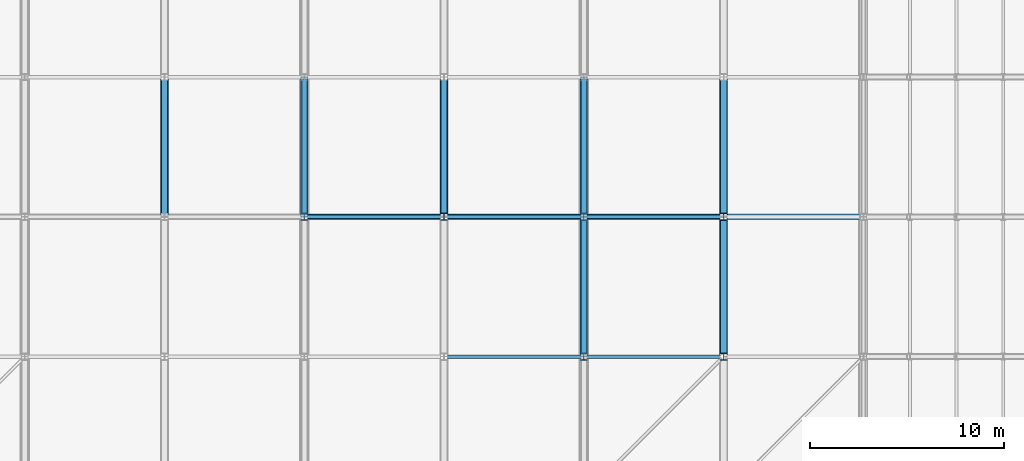
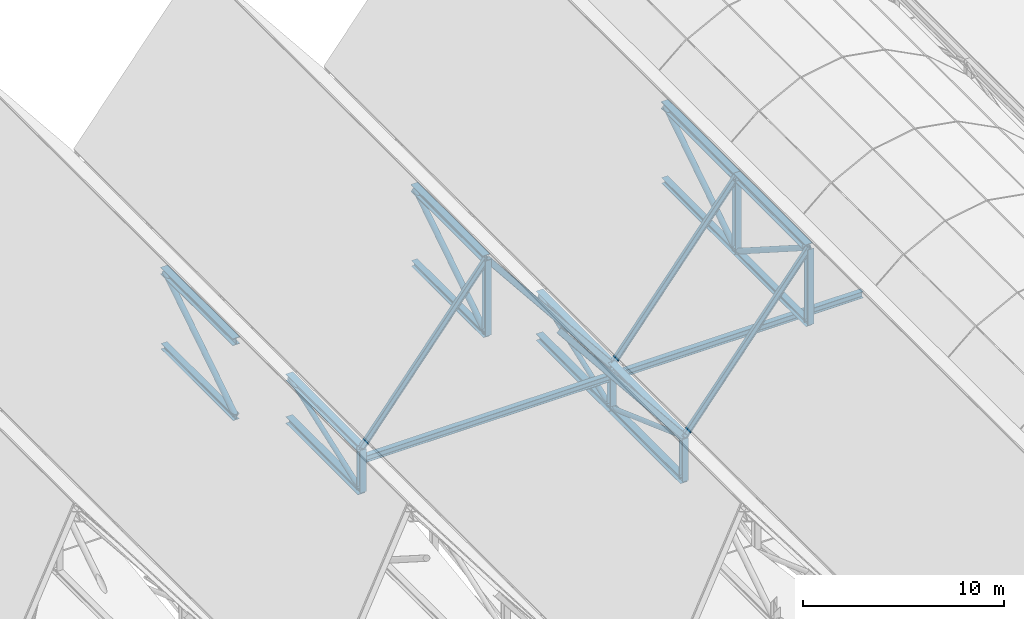
# One storey, part 20 of 60: 32 members, 2 beams.
"""IFC4 building model written with IfcOpenShell, lengths in metres."""

from ifc_helpers import new_model, si_unit, direction, frame, origin, origin_2d, place, context, subcontext, project, spatial, hollow_circle, i_section, extrude, material, material_profile, profile_set, type_object, element, save


model = new_model("IFC4")

# Units and contexts
model_context = context("Model", 3, precision=1e-05, world=origin(), true_north=direction((0.0, 1.0)))
body_context = subcontext(model_context, "Body", "Model", "MODEL_VIEW")
ifc_project = project(units=[si_unit("LENGTHUNIT", "METRE"), si_unit("AREAUNIT", "SQUARE_METRE"), si_unit("VOLUMEUNIT", "CUBIC_METRE"), si_unit("PLANEANGLEUNIT", "RADIAN"), si_unit("MASSUNIT", "GRAM", prefix="KILO")], contexts=[model_context])

# Site, building, storey
site_placement = place(None, origin())
site = spatial("IfcSite", under=ifc_project, at=site_placement, CompositionType="ELEMENT")
building_placement = place(site_placement, origin())
building = spatial("IfcBuilding", under=site, at=building_placement, Name="Vesperath Aquatics Centre", CompositionType="ELEMENT")
storey_placement = place(building_placement, frame((0.0, 0.0, 27.60009765625)))
storey = spatial("IfcBuildingStorey", under=building, at=storey_placement, Name="RF", CompositionType="ELEMENT", Elevation=27.60009765625)

# Beams
ifc_material_1 = material(Name="Steel Q355C", Category="steel")
ifc_material_profile_1 = material_profile(ifc_material_1, i_section(OverallWidth=0.300048828125, OverallDepth=0.389892578125, WebThickness=0.010009765625, FlangeThickness=0.01611328125, FilletRadius=0.02197265625, at=origin_2d()), Name="HM 390x300x10x16")
ifc_profile_set_1 = profile_set([ifc_material_profile_1], Name="Steel Q355C")
beam_type = type_object("IfcBeamType", Name="BM-RB03", PredefinedType="BEAM", material=ifc_profile_set_1)
beam_1_placement = place(storey_placement, frame((72.0, 57.60009765625, -10.478759765625), z_axis=(1.0, 0.0, 0.0), x_axis=(0.0, 1.0, 0.0)))
element("IfcBeam", 1, at=beam_1_placement, inside=storey, type_object=beam_type, Name="Natatorium Roof Deck Support Beam B11 G6-57.6", PredefinedType="BEAM", context=body_context, shape_type="SweptSolid", body=[
    extrude(i_section(OverallWidth=0.300048828125, OverallDepth=0.389892578125, WebThickness=0.010009765625, FlangeThickness=0.01611328125, FilletRadius=0.02197265625, at=origin_2d()), origin(), (0.0, 0.0, 1.0), 14.39990234375),
])
beam_2_placement = place(storey_placement, frame((86.39990234375, 57.60009765625, -10.478759765625), z_axis=(1.0, 0.0, 0.0), x_axis=(0.0, 1.0, 0.0)))
element("IfcBeam", 2, at=beam_2_placement, inside=storey, type_object=beam_type, Name="Natatorium Roof Deck Support Beam B11 G7-57.6", PredefinedType="BEAM", context=body_context, shape_type="SweptSolid", body=[
    extrude(i_section(OverallWidth=0.300048828125, OverallDepth=0.389892578125, WebThickness=0.010009765625, FlangeThickness=0.01611328125, FilletRadius=0.02197265625, at=origin_2d()), origin(), (0.0, 0.0, 1.0), 14.400146484375),
])

# Members
ifc_material_2 = material(Name="Steel Q355D", Category="steel")
ifc_material_profile_2 = material_profile(ifc_material_2, i_section(OverallWidth=0.39990234375, OverallDepth=0.39990234375, WebThickness=0.012939453125, FlangeThickness=0.02099609375, FilletRadius=0.02197265625, at=origin_2d()), Name="HW 400x400x13x21")
ifc_profile_set_2 = profile_set([ifc_material_profile_2], Name="Steel Q355D")
member_type_1 = type_object("IfcMemberType", Name="MB-BC01", PredefinedType="CHORD", material=ifc_profile_set_2)
member_1_placement = place(storey_placement, frame((72.0, 57.60009765625, -12.400146484375), z_axis=(0.0, 1.0, 0.0), x_axis=(-1.0, 0.0, 0.0)))
element("IfcMember", 3, at=member_1_placement, inside=storey, type_object=member_type_1, Name="Natatorium ROOF TRUSS Bottom Chord BC01 G11-9", PredefinedType="CHORD", context=body_context, shape_type="SweptSolid", body=[
    extrude(i_section(OverallWidth=0.39990234375, OverallDepth=0.39990234375, WebThickness=0.012939453125, FlangeThickness=0.02099609375, FilletRadius=0.02197265625, at=origin_2d()), origin(), (0.0, 0.0, 1.0), 7.199951171875),
])
member_2_placement = place(storey_placement, frame((86.39990234375, 50.39990234375, -12.400146484375), z_axis=(0.0, 1.0, 0.0), x_axis=(-1.0, 0.0, 0.0)))
element("IfcMember", 4, at=member_2_placement, inside=storey, type_object=member_type_1, Name="Natatorium ROOF TRUSS Bottom Chord BC01 G13-8", PredefinedType="CHORD", context=body_context, shape_type="SweptSolid", body=[
    extrude(i_section(OverallWidth=0.39990234375, OverallDepth=0.39990234375, WebThickness=0.012939453125, FlangeThickness=0.02099609375, FilletRadius=0.02197265625, at=origin_2d()), origin(), (0.0, 0.0, 1.0), 7.2001953125),
])
member_3_placement = place(storey_placement, frame((86.39990234375, 57.60009765625, -12.400146484375), z_axis=(0.0, 1.0, 0.0), x_axis=(-1.0, 0.0, 0.0)))
element("IfcMember", 5, at=member_3_placement, inside=storey, type_object=member_type_1, Name="Natatorium ROOF TRUSS Bottom Chord BC01 G13-9", PredefinedType="CHORD", context=body_context, shape_type="SweptSolid", body=[
    extrude(i_section(OverallWidth=0.39990234375, OverallDepth=0.39990234375, WebThickness=0.012939453125, FlangeThickness=0.02099609375, FilletRadius=0.02197265625, at=origin_2d()), origin(), (0.0, 0.0, 1.0), 7.199951171875),
])
ifc_material_profile_3 = material_profile(ifc_material_2, i_section(OverallWidth=0.35009765625, OverallDepth=0.35009765625, WebThickness=0.011962890625, FlangeThickness=0.01904296875, FilletRadius=0.02001953125, at=origin_2d()), Name="HW 350x350x12x19")
ifc_profile_set_3 = profile_set([ifc_material_profile_3], Name="Steel Q355D")
member_type_2 = type_object("IfcMemberType", Name="MB-BC02", PredefinedType="CHORD", material=ifc_profile_set_3)
for number, where, z_axis, x_axis, name in (
    (6, (64.800048828125, 57.60009765625, -5.400146484375), (0.0, 1.0, 0.0), (-1.0, 0.0, 0.0), "Natatorium ROOF TRUSS Bottom Chord BC02 G10-9"),
    (7, (79.199951171875, 57.60009765625, -5.400146484375), (0.0, 1.0, 0.0), (-1.0, 0.0, 0.0), "Natatorium ROOF TRUSS Bottom Chord BC02 G12-9"),
):
    element("IfcMember", number, at=place(storey_placement, frame(where, z_axis=z_axis, x_axis=x_axis)), inside=storey, type_object=member_type_2, Name=name, PredefinedType="CHORD", context=body_context, shape_type="SweptSolid", body=[
        extrude(i_section(OverallWidth=0.35009765625, OverallDepth=0.35009765625, WebThickness=0.011962890625, FlangeThickness=0.01904296875, FilletRadius=0.02001953125, at=origin_2d()), origin(), (0.0, 0.0, 1.0), 7.199951171875),
    ])
member_4_placement = place(storey_placement, frame((93.60009765625, 50.39990234375, -5.400146484375), z_axis=(0.0, 1.0, 0.0), x_axis=(-1.0, 0.0, 0.0)))
element("IfcMember", 8, at=member_4_placement, inside=storey, type_object=member_type_2, Name="Natatorium ROOF TRUSS Bottom Chord BC02 G14-8", PredefinedType="CHORD", context=body_context, shape_type="SweptSolid", body=[
    extrude(i_section(OverallWidth=0.35009765625, OverallDepth=0.35009765625, WebThickness=0.011962890625, FlangeThickness=0.01904296875, FilletRadius=0.02001953125, at=origin_2d()), origin(), (0.0, 0.0, 1.0), 7.2001953125),
])
member_5_placement = place(storey_placement, frame((93.60009765625, 57.60009765625, -5.400146484375), z_axis=(0.0, 1.0, 0.0), x_axis=(-1.0, 0.0, 0.0)))
element("IfcMember", 9, at=member_5_placement, inside=storey, type_object=member_type_2, Name="Natatorium ROOF TRUSS Bottom Chord BC02 G14-9", PredefinedType="CHORD", context=body_context, shape_type="SweptSolid", body=[
    extrude(i_section(OverallWidth=0.35009765625, OverallDepth=0.35009765625, WebThickness=0.011962890625, FlangeThickness=0.01904296875, FilletRadius=0.02001953125, at=origin_2d()), origin(), (0.0, 0.0, 1.0), 7.199951171875),
])
ifc_material_profile_4 = material_profile(ifc_material_1, i_section(OverallWidth=0.175048828125, OverallDepth=0.35009765625, WebThickness=0.007080078125, FlangeThickness=0.010986328125, FilletRadius=0.012939453125, at=origin_2d()), Name="HN 350x175x7x11")
ifc_profile_set_4 = profile_set([ifc_material_profile_4], Name="Steel Q355C")
member_type_3 = type_object("IfcMemberType", Name="MB-PR01", PredefinedType="PURLIN", material=ifc_profile_set_4)
for number, where, z_axis, x_axis, name in (
    (10, (72.0, 57.60009765625, -9.800048828125), (0.624692464322, 0.0, 0.780870876022), (0.0, 1.0, 0.0), "Natatorium Roof Purlin PR01 B11-7"),
    (11, (79.199951171875, 50.39990234375, -0.800048828125), (0.624692464322, 0.0, -0.780870876022), (0.0, 1.0, 0.0), "Natatorium Roof Purlin PR01 B12-6"),
    (12, (79.199951171875, 57.60009765625, -0.800048828125), (0.624692464322, 0.0, -0.780870876022), (0.0, 1.0, 0.0), "Natatorium Roof Purlin PR01 B12-7"),
    (13, (86.39990234375, 50.39990234375, -9.800048828125), (0.624705380279, 0.0, 0.780860543151), (0.0, 1.0, 0.0), "Natatorium Roof Purlin PR01 B13-6"),
    (14, (86.39990234375, 57.60009765625, -9.800048828125), (0.624705380279, 0.0, 0.780860543151), (0.0, 1.0, 0.0), "Natatorium Roof Purlin PR01 B13-7"),
):
    element("IfcMember", number, at=place(storey_placement, frame(where, z_axis=z_axis, x_axis=x_axis)), inside=storey, type_object=member_type_3, Name=name, PredefinedType="PURLIN", context=body_context, shape_type="SweptSolid", body=[
        extrude(i_section(OverallWidth=0.175048828125, OverallDepth=0.35009765625, WebThickness=0.007080078125, FlangeThickness=0.010986328125, FilletRadius=0.012939453125, at=origin_2d()), origin(), (0.0, 0.0, 1.0), 11.525634765625),
    ])
ifc_material_profile_5 = material_profile(ifc_material_2, i_section(OverallWidth=0.406982421875, OverallDepth=0.427978515625, WebThickness=0.02001953125, FlangeThickness=0.034912109375, FilletRadius=0.02197265625, at=origin_2d()), Name="HW 428x407x20x35")
ifc_profile_set_5 = profile_set([ifc_material_profile_5], Name="Steel Q355D")
member_type_4 = type_object("IfcMemberType", Name="MB-TC01", PredefinedType="CHORD", material=ifc_profile_set_5)
for number, where, z_axis, x_axis, name in (
    (15, (64.800048828125, 57.60009765625, -0.800048828125), (0.0, 1.0, 0.0), (-1.0, 0.0, 0.0), "Natatorium ROOF TRUSS Top Chord TC01 G10-9"),
    (16, (79.199951171875, 57.60009765625, -0.800048828125), (0.0, 1.0, 0.0), (-1.0, 0.0, 0.0), "Natatorium ROOF TRUSS Top Chord TC01 G12-9"),
):
    element("IfcMember", number, at=place(storey_placement, frame(where, z_axis=z_axis, x_axis=x_axis)), inside=storey, type_object=member_type_4, Name=name, PredefinedType="CHORD", context=body_context, shape_type="SweptSolid", body=[
        extrude(i_section(OverallWidth=0.406982421875, OverallDepth=0.427978515625, WebThickness=0.02001953125, FlangeThickness=0.034912109375, FilletRadius=0.02197265625, at=origin_2d()), origin(), (0.0, 0.0, 1.0), 7.199951171875),
    ])
member_6_placement = place(storey_placement, frame((93.60009765625, 50.39990234375, -0.800048828125), z_axis=(0.0, 1.0, 0.0), x_axis=(-1.0, 0.0, 0.0)))
element("IfcMember", 17, at=member_6_placement, inside=storey, type_object=member_type_4, Name="Natatorium ROOF TRUSS Top Chord TC01 G14-8", PredefinedType="CHORD", context=body_context, shape_type="SweptSolid", body=[
    extrude(i_section(OverallWidth=0.406982421875, OverallDepth=0.427978515625, WebThickness=0.02001953125, FlangeThickness=0.034912109375, FilletRadius=0.02197265625, at=origin_2d()), origin(), (0.0, 0.0, 1.0), 7.2001953125),
])
member_7_placement = place(storey_placement, frame((93.60009765625, 57.60009765625, -0.800048828125), z_axis=(0.0, 1.0, 0.0), x_axis=(-1.0, 0.0, 0.0)))
element("IfcMember", 18, at=member_7_placement, inside=storey, type_object=member_type_4, Name="Natatorium ROOF TRUSS Top Chord TC01 G14-9", PredefinedType="CHORD", context=body_context, shape_type="SweptSolid", body=[
    extrude(i_section(OverallWidth=0.406982421875, OverallDepth=0.427978515625, WebThickness=0.02001953125, FlangeThickness=0.034912109375, FilletRadius=0.02197265625, at=origin_2d()), origin(), (0.0, 0.0, 1.0), 7.199951171875),
])
ifc_material_profile_6 = material_profile(ifc_material_2, i_section(OverallWidth=0.39990234375, OverallDepth=0.39990234375, WebThickness=0.012939453125, FlangeThickness=0.02099609375, FilletRadius=0.02197265625, at=origin_2d()), Name="HW 400x400x13x21")
ifc_profile_set_6 = profile_set([ifc_material_profile_6], Name="Steel Q355D")
member_type_5 = type_object("IfcMemberType", Name="MB-TC02", PredefinedType="CHORD", material=ifc_profile_set_6)
member_8_placement = place(storey_placement, frame((72.0, 57.60009765625, -9.800048828125), z_axis=(0.0, 1.0, 0.0), x_axis=(-1.0, 0.0, 0.0)))
element("IfcMember", 19, at=member_8_placement, inside=storey, type_object=member_type_5, Name="Natatorium ROOF TRUSS Top Chord TC02 G11-9", PredefinedType="CHORD", context=body_context, shape_type="SweptSolid", body=[
    extrude(i_section(OverallWidth=0.39990234375, OverallDepth=0.39990234375, WebThickness=0.012939453125, FlangeThickness=0.02099609375, FilletRadius=0.02197265625, at=origin_2d()), origin(), (0.0, 0.0, 1.0), 7.199951171875),
])
member_9_placement = place(storey_placement, frame((86.39990234375, 50.39990234375, -9.800048828125), z_axis=(0.0, 1.0, 0.0), x_axis=(-1.0, 0.0, 0.0)))
element("IfcMember", 20, at=member_9_placement, inside=storey, type_object=member_type_5, Name="Natatorium ROOF TRUSS Top Chord TC02 G13-8", PredefinedType="CHORD", context=body_context, shape_type="SweptSolid", body=[
    extrude(i_section(OverallWidth=0.39990234375, OverallDepth=0.39990234375, WebThickness=0.012939453125, FlangeThickness=0.02099609375, FilletRadius=0.02197265625, at=origin_2d()), origin(), (0.0, 0.0, 1.0), 7.2001953125),
])
member_10_placement = place(storey_placement, frame((86.39990234375, 57.60009765625, -9.800048828125), z_axis=(0.0, 1.0, 0.0), x_axis=(-1.0, 0.0, 0.0)))
element("IfcMember", 21, at=member_10_placement, inside=storey, type_object=member_type_5, Name="Natatorium ROOF TRUSS Top Chord TC02 G13-9", PredefinedType="CHORD", context=body_context, shape_type="SweptSolid", body=[
    extrude(i_section(OverallWidth=0.39990234375, OverallDepth=0.39990234375, WebThickness=0.012939453125, FlangeThickness=0.02099609375, FilletRadius=0.02197265625, at=origin_2d()), origin(), (0.0, 0.0, 1.0), 7.199951171875),
])
ifc_material_profile_7 = material_profile(ifc_material_2, hollow_circle(Radius=0.161865234375, WallThickness=0.013916015625, at=origin_2d()), Name="CHS 323.9x14")
ifc_profile_set_7 = profile_set([ifc_material_profile_7], Name="Steel Q355D")
member_type_6 = type_object("IfcMemberType", Name="MB-TD01", PredefinedType="BRACE", material=ifc_profile_set_7)
for number, where, z_axis, x_axis, name in (
    (22, (64.800048828125, 57.66748046875, -5.35693359375), (0.0, 0.84270690245, 0.538372618698), (-1.0, 0.0, 0.0), "Natatorium ROOF TRUSS Diagonal TD01 G10-9"),
    (23, (79.199951171875, 57.66748046875, -5.35693359375), (0.0, 0.84270690245, 0.538372618698), (-1.0, 0.0, 0.0), "Natatorium ROOF TRUSS Diagonal TD01 G12-9"),
):
    element("IfcMember", number, at=place(storey_placement, frame(where, z_axis=z_axis, x_axis=x_axis)), inside=storey, type_object=member_type_6, Name=name, PredefinedType="BRACE", context=body_context, shape_type="SweptSolid", body=[
        extrude(hollow_circle(Radius=0.161865234375, WallThickness=0.013916015625, at=origin_2d()), origin(), (0.0, 0.0, 1.0), 8.384033203125),
    ])
member_11_placement = place(storey_placement, frame((93.60009765625, 50.467529296875, -0.84326171875), z_axis=(0.0, 0.842698461818, -0.538385830468), x_axis=(-1.0, 0.0, 0.0)))
element("IfcMember", 24, at=member_11_placement, inside=storey, type_object=member_type_6, Name="Natatorium ROOF TRUSS Diagonal TD01 G14-8", PredefinedType="BRACE", context=body_context, shape_type="SweptSolid", body=[
    extrude(hollow_circle(Radius=0.161865234375, WallThickness=0.013916015625, at=origin_2d()), origin(), (0.0, 0.0, 1.0), 8.3837890625),
])
member_12_placement = place(storey_placement, frame((93.60009765625, 57.66748046875, -5.35693359375), z_axis=(0.0, 0.84270690245, 0.538372618698), x_axis=(-1.0, 0.0, 0.0)))
element("IfcMember", 25, at=member_12_placement, inside=storey, type_object=member_type_6, Name="Natatorium ROOF TRUSS Diagonal TD01 G14-9", PredefinedType="BRACE", context=body_context, shape_type="SweptSolid", body=[
    extrude(hollow_circle(Radius=0.161865234375, WallThickness=0.013916015625, at=origin_2d()), origin(), (0.0, 0.0, 1.0), 8.384033203125),
])
ifc_material_profile_8 = material_profile(ifc_material_2, hollow_circle(Radius=0.136474609375, WallThickness=0.011962890625, at=origin_2d()), Name="CHS 273.0x12")
ifc_profile_set_8 = profile_set([ifc_material_profile_8], Name="Steel Q355D")
member_type_7 = type_object("IfcMemberType", Name="MB-TD02", PredefinedType="BRACE", material=ifc_profile_set_8)
member_13_placement = place(storey_placement, frame((72.0, 57.67529296875, -12.373046875), z_axis=(0.0, 0.940544360889, 0.339670877761), x_axis=(-1.0, 0.0, 0.0)))
element("IfcMember", 26, at=member_13_placement, inside=storey, type_object=member_type_7, Name="Natatorium ROOF TRUSS Diagonal TD02 G11-9", PredefinedType="BRACE", context=body_context, shape_type="SweptSolid", body=[
    extrude(hollow_circle(Radius=0.136474609375, WallThickness=0.011962890625, at=origin_2d()), origin(), (0.0, 0.0, 1.0), 7.4951171875),
])
member_14_placement = place(storey_placement, frame((86.39990234375, 50.475341796875, -9.8271484375), z_axis=(0.0, 0.940540602568, -0.339681284324), x_axis=(-1.0, 0.0, 0.0)))
element("IfcMember", 27, at=member_14_placement, inside=storey, type_object=member_type_7, Name="Natatorium ROOF TRUSS Diagonal TD02 G13-8", PredefinedType="BRACE", context=body_context, shape_type="SweptSolid", body=[
    extrude(hollow_circle(Radius=0.136474609375, WallThickness=0.011962890625, at=origin_2d()), origin(), (0.0, 0.0, 1.0), 7.494873046875),
])
member_15_placement = place(storey_placement, frame((86.39990234375, 57.67529296875, -12.373046875), z_axis=(0.0, 0.940544360889, 0.339670877761), x_axis=(-1.0, 0.0, 0.0)))
element("IfcMember", 28, at=member_15_placement, inside=storey, type_object=member_type_7, Name="Natatorium ROOF TRUSS Diagonal TD02 G13-9", PredefinedType="BRACE", context=body_context, shape_type="SweptSolid", body=[
    extrude(hollow_circle(Radius=0.136474609375, WallThickness=0.011962890625, at=origin_2d()), origin(), (0.0, 0.0, 1.0), 7.4951171875),
])
ifc_material_profile_9 = material_profile(ifc_material_2, i_section(OverallWidth=0.35009765625, OverallDepth=0.35009765625, WebThickness=0.011962890625, FlangeThickness=0.01904296875, FilletRadius=0.02001953125, at=origin_2d()), Name="HW 350x350x12x19")
ifc_profile_set_9 = profile_set([ifc_material_profile_9], Name="Steel Q355D")
member_type_8 = type_object("IfcMemberType", Name="MB-TP01", PredefinedType="POST", material=ifc_profile_set_9)
member_16_placement = place(storey_placement, frame((72.0, 57.60009765625, -12.400146484375), z_axis=(0.0, 0.0, 1.0), x_axis=(1.0, 0.0, 0.0)))
element("IfcMember", 29, at=member_16_placement, inside=storey, type_object=member_type_8, Name="Natatorium ROOF TRUSS Post TP01 G11-9", PredefinedType="POST", context=body_context, shape_type="SweptSolid", body=[
    extrude(i_section(OverallWidth=0.35009765625, OverallDepth=0.35009765625, WebThickness=0.011962890625, FlangeThickness=0.01904296875, FilletRadius=0.02001953125, at=origin_2d()), origin(), (0.0, 0.0, 1.0), 2.60009765625),
])
member_17_placement = place(storey_placement, frame((79.199951171875, 57.60009765625, -5.400146484375), z_axis=(0.0, 0.0, 1.0), x_axis=(1.0, 0.0, 0.0)))
element("IfcMember", 30, at=member_17_placement, inside=storey, type_object=member_type_8, Name="Natatorium ROOF TRUSS Post TP01 G12-9", PredefinedType="POST", context=body_context, shape_type="SweptSolid", body=[
    extrude(i_section(OverallWidth=0.35009765625, OverallDepth=0.35009765625, WebThickness=0.011962890625, FlangeThickness=0.01904296875, FilletRadius=0.02001953125, at=origin_2d()), origin(), (0.0, 0.0, 1.0), 4.60009765625),
])
for number, where, z_axis, x_axis, name in (
    (31, (86.39990234375, 50.39990234375, -12.400146484375), (0.0, 0.0, 1.0), (1.0, 0.0, 0.0), "Natatorium ROOF TRUSS Post TP01 G13-8"),
    (32, (86.39990234375, 57.60009765625, -12.400146484375), (0.0, 0.0, 1.0), (1.0, 0.0, 0.0), "Natatorium ROOF TRUSS Post TP01 G13-9"),
):
    element("IfcMember", number, at=place(storey_placement, frame(where, z_axis=z_axis, x_axis=x_axis)), inside=storey, type_object=member_type_8, Name=name, PredefinedType="POST", context=body_context, shape_type="SweptSolid", body=[
        extrude(i_section(OverallWidth=0.35009765625, OverallDepth=0.35009765625, WebThickness=0.011962890625, FlangeThickness=0.01904296875, FilletRadius=0.02001953125, at=origin_2d()), origin(), (0.0, 0.0, 1.0), 2.60009765625),
    ])
for number, where, z_axis, x_axis, name in (
    (33, (93.60009765625, 50.39990234375, -5.400146484375), (0.0, 0.0, 1.0), (1.0, 0.0, 0.0), "Natatorium ROOF TRUSS Post TP01 G14-8"),
    (34, (93.60009765625, 57.60009765625, -5.400146484375), (0.0, 0.0, 1.0), (1.0, 0.0, 0.0), "Natatorium ROOF TRUSS Post TP01 G14-9"),
):
    element("IfcMember", number, at=place(storey_placement, frame(where, z_axis=z_axis, x_axis=x_axis)), inside=storey, type_object=member_type_8, Name=name, PredefinedType="POST", context=body_context, shape_type="SweptSolid", body=[
        extrude(i_section(OverallWidth=0.35009765625, OverallDepth=0.35009765625, WebThickness=0.011962890625, FlangeThickness=0.01904296875, FilletRadius=0.02001953125, at=origin_2d()), origin(), (0.0, 0.0, 1.0), 4.60009765625),
    ])

save(model, "model.ifc")
